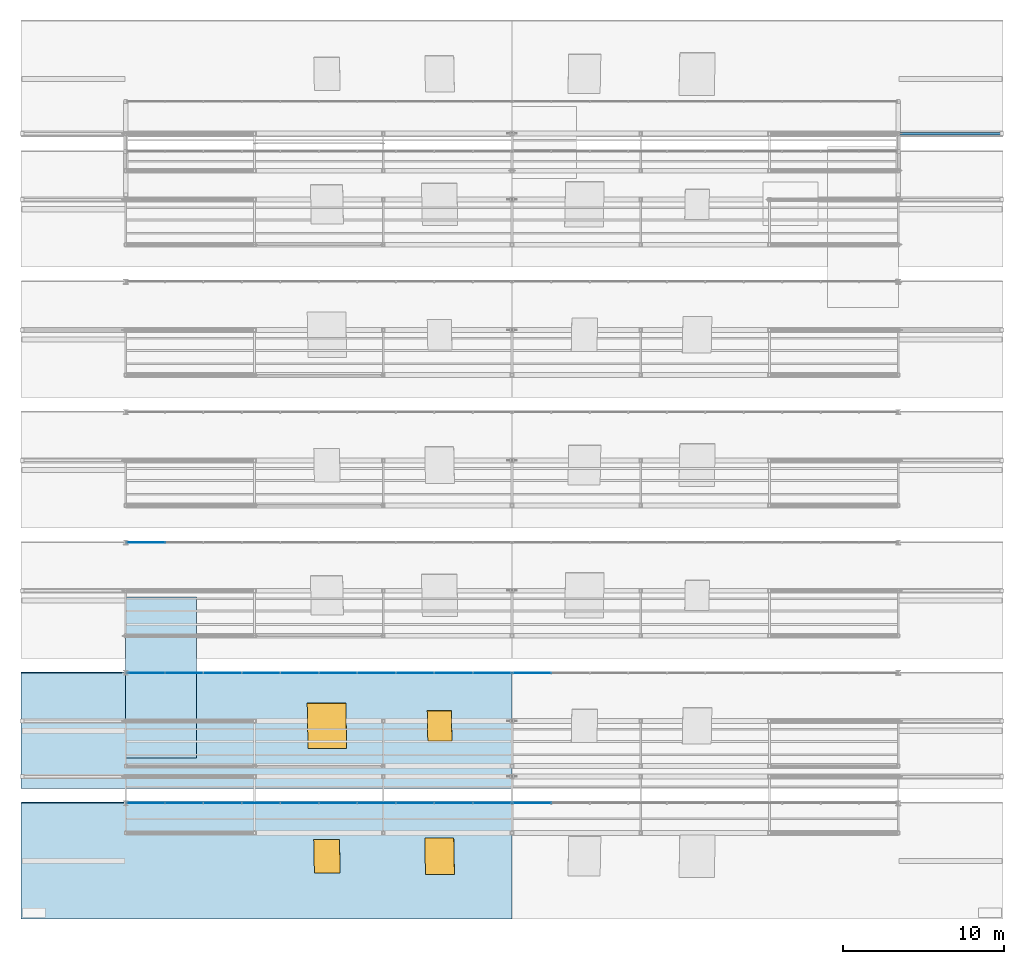
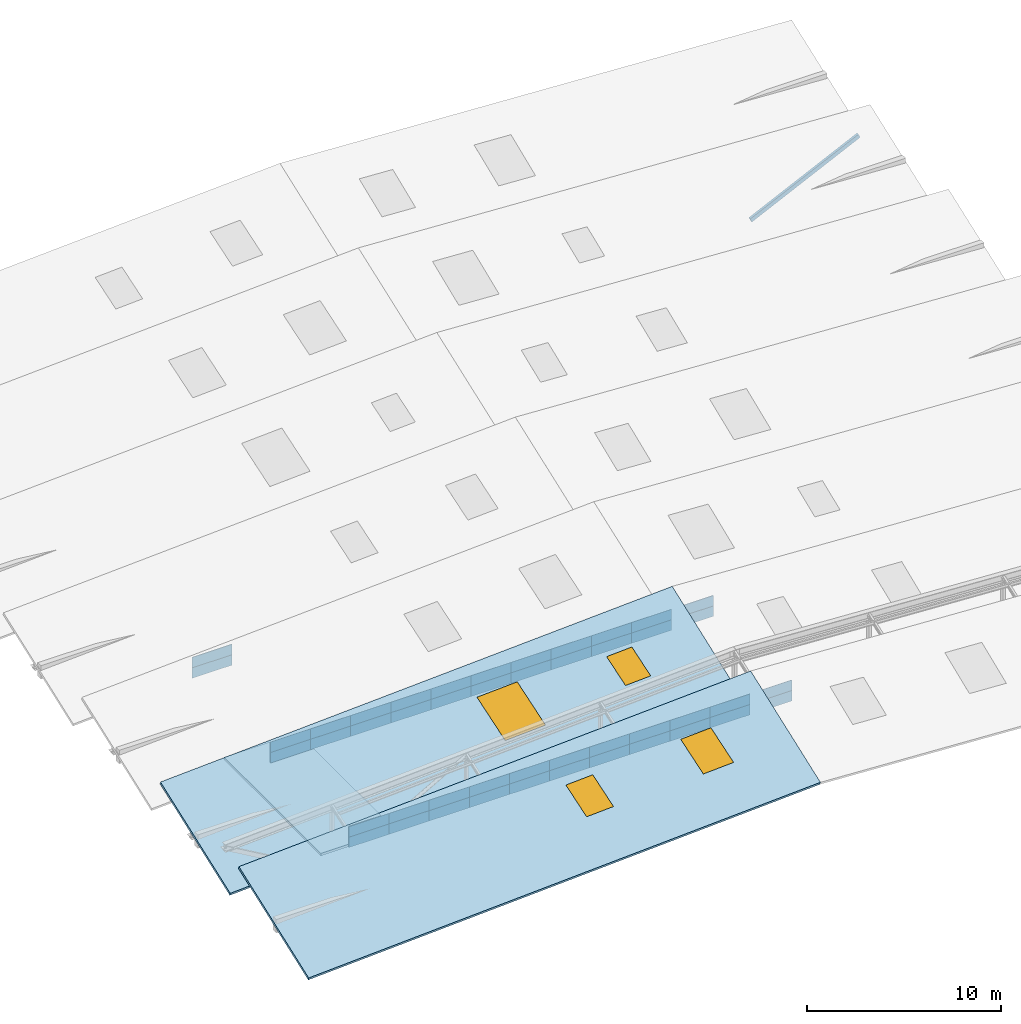
# One storey, part 126 of 141: 46 plates, 4 windows, 3 slabs, 1 member, 4 openings, 6 elements without a shape of their own.
"""IFC4 building model written with IfcOpenShell, lengths in metres."""

from ifc_helpers import new_model, si_unit, direction, frame, origin, origin_2d, place, context, subcontext, project, spatial, polyline, rectangle, hollow_rectangle, outline, extrude, material, layer, layer_set, material_profile, profile_set, type_object, element, fill, aggregate, save


model = new_model("IFC4")

# Units and contexts
model_context = context("Model", 3, precision=1e-05, world=origin(), true_north=direction((0.0, 1.0)))
body_context = subcontext(model_context, "Body", "Model", "MODEL_VIEW")
ifc_project = project(units=[si_unit("LENGTHUNIT", "METRE"), si_unit("AREAUNIT", "SQUARE_METRE"), si_unit("VOLUMEUNIT", "CUBIC_METRE"), si_unit("PLANEANGLEUNIT", "RADIAN"), si_unit("MASSUNIT", "GRAM", prefix="KILO")], contexts=[model_context])

# Site, building, storey
site_placement = place(None, origin())
site = spatial("IfcSite", under=ifc_project, at=site_placement, CompositionType="ELEMENT")
building_placement = place(site_placement, origin())
building = spatial("IfcBuilding", under=site, at=building_placement, Name="Sundkrona Museum", CompositionType="ELEMENT")
storey_placement = place(building_placement, frame((0.0, 0.0, 34.0)))
storey = spatial("IfcBuildingStorey", under=building, at=storey_placement, Name="RF", CompositionType="ELEMENT", Elevation=34.0)

# Member
ifc_material_1 = material(Name="Steel S355J2", Category="steel")
ifc_material_profile = material_profile(ifc_material_1, hollow_rectangle(XDim=0.14990234375, YDim=0.25, WallThickness=0.010009765625, at=origin_2d()), Name="RHS 250x150x10.0")
ifc_profile_set = profile_set([ifc_material_profile], Name="Steel S355J2")
member_type = type_object("IfcMemberType", Name="ST-RHS250", PredefinedType="STRUT", material=ifc_profile_set)
member_placement = place(storey_placement, frame((168.0, 43.800048828125, -0.25), z_axis=(0.902588159748, 0.0, 0.430505068359), x_axis=(0.0, 1.0, 0.0)))
element("IfcMember", 1, at=member_placement, inside=storey, type_object=member_type, Name="RFS-1 Sawtooth Truss 7 East Knee Strut", PredefinedType="STRUT", context=body_context, shape_type="SweptSolid", body=[
    extrude(hollow_rectangle(XDim=0.14990234375, YDim=0.25, WallThickness=0.010009765625, at=origin_2d()), origin(), (0.0, 0.0, 1.0), 7.14599609375),
])

# Curtain wall, plates
ifc_material_2 = material(Name="Unitised Aluminium-Steel and Ceramic-Clad Curtain Walling", Category="steel")
curtain_wall_type = type_object("IfcCurtainWallType", Name="CW-SW-240x13", PredefinedType="NOTDEFINED", material=ifc_material_2)
curtain_wall_1_placement = place(storey_placement, origin())
curtain_wall_1 = element("IfcCurtainWall", 2, at=curtain_wall_1_placement, inside=storey, type_object=curtain_wall_type, Name="Sawtooth Bay 1 West North-Light Clerestory", PredefinedType="NOTDEFINED")
ifc_material_3 = material(Name="North-Light Diffusing Triple Glazing 32 mm", Category="glass")
ifc_layer_1 = layer(ifc_material_3, 0.031982421875)
ifc_layer_set_1 = layer_set([ifc_layer_1], Name="North-Light Diffusing Triple Glazing 32 mm")
plate_type = type_object("IfcPlateType", Name="PN-GL-02", PredefinedType="CURTAIN_PANEL", material=ifc_layer_set_1)
plate_1_placement = place(storey_placement, frame((121.2451171875, 2.199951171875, 2.212890625), z_axis=(0.0, 0.0, 1.0), x_axis=(1.0, 0.0, 0.0)))
plate_1 = element("IfcPlate", 3, at=plate_1_placement, type_object=plate_type, Name="CW-RF-SAW-01W Panel 01", PredefinedType="CURTAIN_PANEL", context=body_context, shape_type="SweptSolid", body=[
    extrude(rectangle(XDim=2.389892578125, YDim=0.031982421875, at=origin_2d()), origin(), (0.0, 0.0, 1.0), 0.659912109375),
])
plate_2_placement = place(storey_placement, frame((121.2451171875, 2.199951171875, 2.873046875), z_axis=(0.0, 0.0, 1.0), x_axis=(1.0, 0.0, 0.0)))
plate_2 = element("IfcPlate", 4, at=plate_2_placement, type_object=plate_type, Name="CW-RF-SAW-01W Panel 02", PredefinedType="CURTAIN_PANEL", context=body_context, shape_type="SweptSolid", body=[
    extrude(rectangle(XDim=2.389892578125, YDim=0.031982421875, at=origin_2d()), origin(), (0.0, 0.0, 1.0), 0.659912109375),
])
plate_3_placement = place(storey_placement, frame((123.635009765625, 2.199951171875, 2.212890625), z_axis=(0.0, 0.0, 1.0), x_axis=(1.0, 0.0, 0.0)))
plate_3 = element("IfcPlate", 5, at=plate_3_placement, type_object=plate_type, Name="CW-RF-SAW-01W Panel 03", PredefinedType="CURTAIN_PANEL", context=body_context, shape_type="SweptSolid", body=[
    extrude(rectangle(XDim=2.389892578125, YDim=0.031982421875, at=origin_2d()), origin(), (0.0, 0.0, 1.0), 0.659912109375),
])
plate_4_placement = place(storey_placement, frame((123.635009765625, 2.199951171875, 2.873046875), z_axis=(0.0, 0.0, 1.0), x_axis=(1.0, 0.0, 0.0)))
plate_4 = element("IfcPlate", 6, at=plate_4_placement, type_object=plate_type, Name="CW-RF-SAW-01W Panel 04", PredefinedType="CURTAIN_PANEL", context=body_context, shape_type="SweptSolid", body=[
    extrude(rectangle(XDim=2.389892578125, YDim=0.031982421875, at=origin_2d()), origin(), (0.0, 0.0, 1.0), 0.659912109375),
])
plate_5_placement = place(storey_placement, frame((126.02490234375, 2.199951171875, 2.212890625), z_axis=(0.0, 0.0, 1.0), x_axis=(1.0, 0.0, 0.0)))
plate_5 = element("IfcPlate", 7, at=plate_5_placement, type_object=plate_type, Name="CW-RF-SAW-01W Panel 05", PredefinedType="CURTAIN_PANEL", context=body_context, shape_type="SweptSolid", body=[
    extrude(rectangle(XDim=2.389892578125, YDim=0.031982421875, at=origin_2d()), origin(), (0.0, 0.0, 1.0), 0.659912109375),
])
plate_6_placement = place(storey_placement, frame((126.02490234375, 2.199951171875, 2.873046875), z_axis=(0.0, 0.0, 1.0), x_axis=(1.0, 0.0, 0.0)))
plate_6 = element("IfcPlate", 8, at=plate_6_placement, type_object=plate_type, Name="CW-RF-SAW-01W Panel 06", PredefinedType="CURTAIN_PANEL", context=body_context, shape_type="SweptSolid", body=[
    extrude(rectangle(XDim=2.389892578125, YDim=0.031982421875, at=origin_2d()), origin(), (0.0, 0.0, 1.0), 0.659912109375),
])
plate_7_placement = place(storey_placement, frame((128.4150390625, 2.199951171875, 2.212890625), z_axis=(0.0, 0.0, 1.0), x_axis=(1.0, 0.0, 0.0)))
plate_7 = element("IfcPlate", 9, at=plate_7_placement, type_object=plate_type, Name="CW-RF-SAW-01W Panel 07", PredefinedType="CURTAIN_PANEL", context=body_context, shape_type="SweptSolid", body=[
    extrude(rectangle(XDim=2.389892578125, YDim=0.031982421875, at=origin_2d()), origin(), (0.0, 0.0, 1.0), 0.659912109375),
])
plate_8_placement = place(storey_placement, frame((128.4150390625, 2.199951171875, 2.873046875), z_axis=(0.0, 0.0, 1.0), x_axis=(1.0, 0.0, 0.0)))
plate_8 = element("IfcPlate", 10, at=plate_8_placement, type_object=plate_type, Name="CW-RF-SAW-01W Panel 08", PredefinedType="CURTAIN_PANEL", context=body_context, shape_type="SweptSolid", body=[
    extrude(rectangle(XDim=2.389892578125, YDim=0.031982421875, at=origin_2d()), origin(), (0.0, 0.0, 1.0), 0.659912109375),
])
plate_9_placement = place(storey_placement, frame((130.804931640625, 2.199951171875, 2.212890625), z_axis=(0.0, 0.0, 1.0), x_axis=(1.0, 0.0, 0.0)))
plate_9 = element("IfcPlate", 11, at=plate_9_placement, type_object=plate_type, Name="CW-RF-SAW-01W Panel 09", PredefinedType="CURTAIN_PANEL", context=body_context, shape_type="SweptSolid", body=[
    extrude(rectangle(XDim=2.389892578125, YDim=0.031982421875, at=origin_2d()), origin(), (0.0, 0.0, 1.0), 0.659912109375),
])
plate_10_placement = place(storey_placement, frame((130.804931640625, 2.199951171875, 2.873046875), z_axis=(0.0, 0.0, 1.0), x_axis=(1.0, 0.0, 0.0)))
plate_10 = element("IfcPlate", 12, at=plate_10_placement, type_object=plate_type, Name="CW-RF-SAW-01W Panel 10", PredefinedType="CURTAIN_PANEL", context=body_context, shape_type="SweptSolid", body=[
    extrude(rectangle(XDim=2.389892578125, YDim=0.031982421875, at=origin_2d()), origin(), (0.0, 0.0, 1.0), 0.659912109375),
])
plate_11_placement = place(storey_placement, frame((133.195068359375, 2.199951171875, 2.212890625), z_axis=(0.0, 0.0, 1.0), x_axis=(1.0, 0.0, 0.0)))
plate_11 = element("IfcPlate", 13, at=plate_11_placement, type_object=plate_type, Name="CW-RF-SAW-01W Panel 11", PredefinedType="CURTAIN_PANEL", context=body_context, shape_type="SweptSolid", body=[
    extrude(rectangle(XDim=2.389892578125, YDim=0.031982421875, at=origin_2d()), origin(), (0.0, 0.0, 1.0), 0.659912109375),
])
plate_12_placement = place(storey_placement, frame((133.195068359375, 2.199951171875, 2.873046875), z_axis=(0.0, 0.0, 1.0), x_axis=(1.0, 0.0, 0.0)))
plate_12 = element("IfcPlate", 14, at=plate_12_placement, type_object=plate_type, Name="CW-RF-SAW-01W Panel 12", PredefinedType="CURTAIN_PANEL", context=body_context, shape_type="SweptSolid", body=[
    extrude(rectangle(XDim=2.389892578125, YDim=0.031982421875, at=origin_2d()), origin(), (0.0, 0.0, 1.0), 0.659912109375),
])
plate_13_placement = place(storey_placement, frame((135.5849609375, 2.199951171875, 2.212890625), z_axis=(0.0, 0.0, 1.0), x_axis=(1.0, 0.0, 0.0)))
plate_13 = element("IfcPlate", 15, at=plate_13_placement, type_object=plate_type, Name="CW-RF-SAW-01W Panel 13", PredefinedType="CURTAIN_PANEL", context=body_context, shape_type="SweptSolid", body=[
    extrude(rectangle(XDim=2.389892578125, YDim=0.031982421875, at=origin_2d()), origin(), (0.0, 0.0, 1.0), 0.659912109375),
])
plate_14_placement = place(storey_placement, frame((135.5849609375, 2.199951171875, 2.873046875), z_axis=(0.0, 0.0, 1.0), x_axis=(1.0, 0.0, 0.0)))
plate_14 = element("IfcPlate", 16, at=plate_14_placement, type_object=plate_type, Name="CW-RF-SAW-01W Panel 14", PredefinedType="CURTAIN_PANEL", context=body_context, shape_type="SweptSolid", body=[
    extrude(rectangle(XDim=2.389892578125, YDim=0.031982421875, at=origin_2d()), origin(), (0.0, 0.0, 1.0), 0.659912109375),
])
plate_15_placement = place(storey_placement, frame((137.97509765625, 2.199951171875, 2.212890625), z_axis=(0.0, 0.0, 1.0), x_axis=(1.0, 0.0, 0.0)))
plate_15 = element("IfcPlate", 17, at=plate_15_placement, type_object=plate_type, Name="CW-RF-SAW-01W Panel 15", PredefinedType="CURTAIN_PANEL", context=body_context, shape_type="SweptSolid", body=[
    extrude(rectangle(XDim=2.389892578125, YDim=0.031982421875, at=origin_2d()), origin(), (0.0, 0.0, 1.0), 0.659912109375),
])
plate_16_placement = place(storey_placement, frame((137.97509765625, 2.199951171875, 2.873046875), z_axis=(0.0, 0.0, 1.0), x_axis=(1.0, 0.0, 0.0)))
plate_16 = element("IfcPlate", 18, at=plate_16_placement, type_object=plate_type, Name="CW-RF-SAW-01W Panel 16", PredefinedType="CURTAIN_PANEL", context=body_context, shape_type="SweptSolid", body=[
    extrude(rectangle(XDim=2.389892578125, YDim=0.031982421875, at=origin_2d()), origin(), (0.0, 0.0, 1.0), 0.659912109375),
])
plate_17_placement = place(storey_placement, frame((140.364990234375, 2.199951171875, 2.212890625), z_axis=(0.0, 0.0, 1.0), x_axis=(1.0, 0.0, 0.0)))
plate_17 = element("IfcPlate", 19, at=plate_17_placement, type_object=plate_type, Name="CW-RF-SAW-01W Panel 17", PredefinedType="CURTAIN_PANEL", context=body_context, shape_type="SweptSolid", body=[
    extrude(rectangle(XDim=2.389892578125, YDim=0.031982421875, at=origin_2d()), origin(), (0.0, 0.0, 1.0), 0.659912109375),
])
plate_18_placement = place(storey_placement, frame((140.364990234375, 2.199951171875, 2.873046875), z_axis=(0.0, 0.0, 1.0), x_axis=(1.0, 0.0, 0.0)))
plate_18 = element("IfcPlate", 20, at=plate_18_placement, type_object=plate_type, Name="CW-RF-SAW-01W Panel 18", PredefinedType="CURTAIN_PANEL", context=body_context, shape_type="SweptSolid", body=[
    extrude(rectangle(XDim=2.389892578125, YDim=0.031982421875, at=origin_2d()), origin(), (0.0, 0.0, 1.0), 0.659912109375),
])
plate_19_placement = place(storey_placement, frame((142.7548828125, 2.199951171875, 2.212890625), z_axis=(0.0, 0.0, 1.0), x_axis=(1.0, 0.0, 0.0)))
plate_19 = element("IfcPlate", 21, at=plate_19_placement, type_object=plate_type, Name="CW-RF-SAW-01W Panel 19", PredefinedType="CURTAIN_PANEL", context=body_context, shape_type="SweptSolid", body=[
    extrude(rectangle(XDim=2.389892578125, YDim=0.031982421875, at=origin_2d()), origin(), (0.0, 0.0, 1.0), 0.659912109375),
])
plate_20_placement = place(storey_placement, frame((142.7548828125, 2.199951171875, 2.873046875), z_axis=(0.0, 0.0, 1.0), x_axis=(1.0, 0.0, 0.0)))
plate_20 = element("IfcPlate", 22, at=plate_20_placement, type_object=plate_type, Name="CW-RF-SAW-01W Panel 20", PredefinedType="CURTAIN_PANEL", context=body_context, shape_type="SweptSolid", body=[
    extrude(rectangle(XDim=2.389892578125, YDim=0.031982421875, at=origin_2d()), origin(), (0.0, 0.0, 1.0), 0.659912109375),
])
aggregate(curtain_wall_1, [plate_1, plate_2, plate_3, plate_4, plate_5, plate_6, plate_7, plate_8, plate_9, plate_10, plate_11, plate_12, plate_13, plate_14, plate_15, plate_16, plate_17, plate_18, plate_19, plate_20])

curtain_wall_2_placement = place(storey_placement, origin())
curtain_wall_2 = element("IfcCurtainWall", 23, at=curtain_wall_2_placement, inside=storey, type_object=curtain_wall_type, Name="Sawtooth Bay 1 East North-Light Clerestory", PredefinedType="NOTDEFINED")
plate_21_placement = place(storey_placement, frame((145.2451171875, 2.199951171875, 2.212890625), z_axis=(0.0, 0.0, 1.0), x_axis=(1.0, 0.0, 0.0)))
plate_21 = element("IfcPlate", 24, at=plate_21_placement, type_object=plate_type, Name="CW-RF-SAW-01E Panel 01", PredefinedType="CURTAIN_PANEL", context=body_context, shape_type="SweptSolid", body=[
    extrude(rectangle(XDim=2.389892578125, YDim=0.031982421875, at=origin_2d()), origin(), (0.0, 0.0, 1.0), 0.659912109375),
])
plate_22_placement = place(storey_placement, frame((145.2451171875, 2.199951171875, 2.873046875), z_axis=(0.0, 0.0, 1.0), x_axis=(1.0, 0.0, 0.0)))
plate_22 = element("IfcPlate", 25, at=plate_22_placement, type_object=plate_type, Name="CW-RF-SAW-01E Panel 02", PredefinedType="CURTAIN_PANEL", context=body_context, shape_type="SweptSolid", body=[
    extrude(rectangle(XDim=2.389892578125, YDim=0.031982421875, at=origin_2d()), origin(), (0.0, 0.0, 1.0), 0.659912109375),
])
aggregate(curtain_wall_2, [plate_21, plate_22])

curtain_wall_3_placement = place(storey_placement, origin())
curtain_wall_3 = element("IfcCurtainWall", 26, at=curtain_wall_3_placement, inside=storey, type_object=curtain_wall_type, Name="Sawtooth Bay 2 West North-Light Clerestory", PredefinedType="NOTDEFINED")
plate_23_placement = place(storey_placement, frame((121.2451171875, 10.300048828125, 2.6328125), z_axis=(0.0, 0.0, 1.0), x_axis=(1.0, 0.0, 0.0)))
plate_23 = element("IfcPlate", 27, at=plate_23_placement, type_object=plate_type, Name="CW-RF-SAW-02W Panel 01", PredefinedType="CURTAIN_PANEL", context=body_context, shape_type="SweptSolid", body=[
    extrude(rectangle(XDim=2.389892578125, YDim=0.031982421875, at=origin_2d()), origin(), (0.0, 0.0, 1.0), 0.659912109375),
])
plate_24_placement = place(storey_placement, frame((121.2451171875, 10.300048828125, 3.29296875), z_axis=(0.0, 0.0, 1.0), x_axis=(1.0, 0.0, 0.0)))
plate_24 = element("IfcPlate", 28, at=plate_24_placement, type_object=plate_type, Name="CW-RF-SAW-02W Panel 02", PredefinedType="CURTAIN_PANEL", context=body_context, shape_type="SweptSolid", body=[
    extrude(rectangle(XDim=2.389892578125, YDim=0.031982421875, at=origin_2d()), origin(), (0.0, 0.0, 1.0), 0.659912109375),
])
plate_25_placement = place(storey_placement, frame((123.635009765625, 10.300048828125, 2.6328125), z_axis=(0.0, 0.0, 1.0), x_axis=(1.0, 0.0, 0.0)))
plate_25 = element("IfcPlate", 29, at=plate_25_placement, type_object=plate_type, Name="CW-RF-SAW-02W Panel 03", PredefinedType="CURTAIN_PANEL", context=body_context, shape_type="SweptSolid", body=[
    extrude(rectangle(XDim=2.389892578125, YDim=0.031982421875, at=origin_2d()), origin(), (0.0, 0.0, 1.0), 0.659912109375),
])
plate_26_placement = place(storey_placement, frame((123.635009765625, 10.300048828125, 3.29296875), z_axis=(0.0, 0.0, 1.0), x_axis=(1.0, 0.0, 0.0)))
plate_26 = element("IfcPlate", 30, at=plate_26_placement, type_object=plate_type, Name="CW-RF-SAW-02W Panel 04", PredefinedType="CURTAIN_PANEL", context=body_context, shape_type="SweptSolid", body=[
    extrude(rectangle(XDim=2.389892578125, YDim=0.031982421875, at=origin_2d()), origin(), (0.0, 0.0, 1.0), 0.659912109375),
])
plate_27_placement = place(storey_placement, frame((126.02490234375, 10.300048828125, 2.6328125), z_axis=(0.0, 0.0, 1.0), x_axis=(1.0, 0.0, 0.0)))
plate_27 = element("IfcPlate", 31, at=plate_27_placement, type_object=plate_type, Name="CW-RF-SAW-02W Panel 05", PredefinedType="CURTAIN_PANEL", context=body_context, shape_type="SweptSolid", body=[
    extrude(rectangle(XDim=2.389892578125, YDim=0.031982421875, at=origin_2d()), origin(), (0.0, 0.0, 1.0), 0.659912109375),
])
plate_28_placement = place(storey_placement, frame((126.02490234375, 10.300048828125, 3.29296875), z_axis=(0.0, 0.0, 1.0), x_axis=(1.0, 0.0, 0.0)))
plate_28 = element("IfcPlate", 32, at=plate_28_placement, type_object=plate_type, Name="CW-RF-SAW-02W Panel 06", PredefinedType="CURTAIN_PANEL", context=body_context, shape_type="SweptSolid", body=[
    extrude(rectangle(XDim=2.389892578125, YDim=0.031982421875, at=origin_2d()), origin(), (0.0, 0.0, 1.0), 0.659912109375),
])
plate_29_placement = place(storey_placement, frame((128.4150390625, 10.300048828125, 2.6328125), z_axis=(0.0, 0.0, 1.0), x_axis=(1.0, 0.0, 0.0)))
plate_29 = element("IfcPlate", 33, at=plate_29_placement, type_object=plate_type, Name="CW-RF-SAW-02W Panel 07", PredefinedType="CURTAIN_PANEL", context=body_context, shape_type="SweptSolid", body=[
    extrude(rectangle(XDim=2.389892578125, YDim=0.031982421875, at=origin_2d()), origin(), (0.0, 0.0, 1.0), 0.659912109375),
])
plate_30_placement = place(storey_placement, frame((128.4150390625, 10.300048828125, 3.29296875), z_axis=(0.0, 0.0, 1.0), x_axis=(1.0, 0.0, 0.0)))
plate_30 = element("IfcPlate", 34, at=plate_30_placement, type_object=plate_type, Name="CW-RF-SAW-02W Panel 08", PredefinedType="CURTAIN_PANEL", context=body_context, shape_type="SweptSolid", body=[
    extrude(rectangle(XDim=2.389892578125, YDim=0.031982421875, at=origin_2d()), origin(), (0.0, 0.0, 1.0), 0.659912109375),
])
plate_31_placement = place(storey_placement, frame((130.804931640625, 10.300048828125, 2.6328125), z_axis=(0.0, 0.0, 1.0), x_axis=(1.0, 0.0, 0.0)))
plate_31 = element("IfcPlate", 35, at=plate_31_placement, type_object=plate_type, Name="CW-RF-SAW-02W Panel 09", PredefinedType="CURTAIN_PANEL", context=body_context, shape_type="SweptSolid", body=[
    extrude(rectangle(XDim=2.389892578125, YDim=0.031982421875, at=origin_2d()), origin(), (0.0, 0.0, 1.0), 0.659912109375),
])
plate_32_placement = place(storey_placement, frame((130.804931640625, 10.300048828125, 3.29296875), z_axis=(0.0, 0.0, 1.0), x_axis=(1.0, 0.0, 0.0)))
plate_32 = element("IfcPlate", 36, at=plate_32_placement, type_object=plate_type, Name="CW-RF-SAW-02W Panel 10", PredefinedType="CURTAIN_PANEL", context=body_context, shape_type="SweptSolid", body=[
    extrude(rectangle(XDim=2.389892578125, YDim=0.031982421875, at=origin_2d()), origin(), (0.0, 0.0, 1.0), 0.659912109375),
])
plate_33_placement = place(storey_placement, frame((133.195068359375, 10.300048828125, 2.6328125), z_axis=(0.0, 0.0, 1.0), x_axis=(1.0, 0.0, 0.0)))
plate_33 = element("IfcPlate", 37, at=plate_33_placement, type_object=plate_type, Name="CW-RF-SAW-02W Panel 11", PredefinedType="CURTAIN_PANEL", context=body_context, shape_type="SweptSolid", body=[
    extrude(rectangle(XDim=2.389892578125, YDim=0.031982421875, at=origin_2d()), origin(), (0.0, 0.0, 1.0), 0.659912109375),
])
plate_34_placement = place(storey_placement, frame((133.195068359375, 10.300048828125, 3.29296875), z_axis=(0.0, 0.0, 1.0), x_axis=(1.0, 0.0, 0.0)))
plate_34 = element("IfcPlate", 38, at=plate_34_placement, type_object=plate_type, Name="CW-RF-SAW-02W Panel 12", PredefinedType="CURTAIN_PANEL", context=body_context, shape_type="SweptSolid", body=[
    extrude(rectangle(XDim=2.389892578125, YDim=0.031982421875, at=origin_2d()), origin(), (0.0, 0.0, 1.0), 0.659912109375),
])
plate_35_placement = place(storey_placement, frame((135.5849609375, 10.300048828125, 2.6328125), z_axis=(0.0, 0.0, 1.0), x_axis=(1.0, 0.0, 0.0)))
plate_35 = element("IfcPlate", 39, at=plate_35_placement, type_object=plate_type, Name="CW-RF-SAW-02W Panel 13", PredefinedType="CURTAIN_PANEL", context=body_context, shape_type="SweptSolid", body=[
    extrude(rectangle(XDim=2.389892578125, YDim=0.031982421875, at=origin_2d()), origin(), (0.0, 0.0, 1.0), 0.659912109375),
])
plate_36_placement = place(storey_placement, frame((135.5849609375, 10.300048828125, 3.29296875), z_axis=(0.0, 0.0, 1.0), x_axis=(1.0, 0.0, 0.0)))
plate_36 = element("IfcPlate", 40, at=plate_36_placement, type_object=plate_type, Name="CW-RF-SAW-02W Panel 14", PredefinedType="CURTAIN_PANEL", context=body_context, shape_type="SweptSolid", body=[
    extrude(rectangle(XDim=2.389892578125, YDim=0.031982421875, at=origin_2d()), origin(), (0.0, 0.0, 1.0), 0.659912109375),
])
plate_37_placement = place(storey_placement, frame((137.97509765625, 10.300048828125, 2.6328125), z_axis=(0.0, 0.0, 1.0), x_axis=(1.0, 0.0, 0.0)))
plate_37 = element("IfcPlate", 41, at=plate_37_placement, type_object=plate_type, Name="CW-RF-SAW-02W Panel 15", PredefinedType="CURTAIN_PANEL", context=body_context, shape_type="SweptSolid", body=[
    extrude(rectangle(XDim=2.389892578125, YDim=0.031982421875, at=origin_2d()), origin(), (0.0, 0.0, 1.0), 0.659912109375),
])
plate_38_placement = place(storey_placement, frame((137.97509765625, 10.300048828125, 3.29296875), z_axis=(0.0, 0.0, 1.0), x_axis=(1.0, 0.0, 0.0)))
plate_38 = element("IfcPlate", 42, at=plate_38_placement, type_object=plate_type, Name="CW-RF-SAW-02W Panel 16", PredefinedType="CURTAIN_PANEL", context=body_context, shape_type="SweptSolid", body=[
    extrude(rectangle(XDim=2.389892578125, YDim=0.031982421875, at=origin_2d()), origin(), (0.0, 0.0, 1.0), 0.659912109375),
])
plate_39_placement = place(storey_placement, frame((140.364990234375, 10.300048828125, 2.6328125), z_axis=(0.0, 0.0, 1.0), x_axis=(1.0, 0.0, 0.0)))
plate_39 = element("IfcPlate", 43, at=plate_39_placement, type_object=plate_type, Name="CW-RF-SAW-02W Panel 17", PredefinedType="CURTAIN_PANEL", context=body_context, shape_type="SweptSolid", body=[
    extrude(rectangle(XDim=2.389892578125, YDim=0.031982421875, at=origin_2d()), origin(), (0.0, 0.0, 1.0), 0.659912109375),
])
plate_40_placement = place(storey_placement, frame((140.364990234375, 10.300048828125, 3.29296875), z_axis=(0.0, 0.0, 1.0), x_axis=(1.0, 0.0, 0.0)))
plate_40 = element("IfcPlate", 44, at=plate_40_placement, type_object=plate_type, Name="CW-RF-SAW-02W Panel 18", PredefinedType="CURTAIN_PANEL", context=body_context, shape_type="SweptSolid", body=[
    extrude(rectangle(XDim=2.389892578125, YDim=0.031982421875, at=origin_2d()), origin(), (0.0, 0.0, 1.0), 0.659912109375),
])
plate_41_placement = place(storey_placement, frame((142.7548828125, 10.300048828125, 2.6328125), z_axis=(0.0, 0.0, 1.0), x_axis=(1.0, 0.0, 0.0)))
plate_41 = element("IfcPlate", 45, at=plate_41_placement, type_object=plate_type, Name="CW-RF-SAW-02W Panel 19", PredefinedType="CURTAIN_PANEL", context=body_context, shape_type="SweptSolid", body=[
    extrude(rectangle(XDim=2.389892578125, YDim=0.031982421875, at=origin_2d()), origin(), (0.0, 0.0, 1.0), 0.659912109375),
])
plate_42_placement = place(storey_placement, frame((142.7548828125, 10.300048828125, 3.29296875), z_axis=(0.0, 0.0, 1.0), x_axis=(1.0, 0.0, 0.0)))
plate_42 = element("IfcPlate", 46, at=plate_42_placement, type_object=plate_type, Name="CW-RF-SAW-02W Panel 20", PredefinedType="CURTAIN_PANEL", context=body_context, shape_type="SweptSolid", body=[
    extrude(rectangle(XDim=2.389892578125, YDim=0.031982421875, at=origin_2d()), origin(), (0.0, 0.0, 1.0), 0.659912109375),
])
aggregate(curtain_wall_3, [plate_23, plate_24, plate_25, plate_26, plate_27, plate_28, plate_29, plate_30, plate_31, plate_32, plate_33, plate_34, plate_35, plate_36, plate_37, plate_38, plate_39, plate_40, plate_41, plate_42])

curtain_wall_4_placement = place(storey_placement, origin())
curtain_wall_4 = element("IfcCurtainWall", 47, at=curtain_wall_4_placement, inside=storey, type_object=curtain_wall_type, Name="Sawtooth Bay 2 East North-Light Clerestory", PredefinedType="NOTDEFINED")
plate_43_placement = place(storey_placement, frame((145.2451171875, 10.300048828125, 2.6328125), z_axis=(0.0, 0.0, 1.0), x_axis=(1.0, 0.0, 0.0)))
plate_43 = element("IfcPlate", 48, at=plate_43_placement, type_object=plate_type, Name="CW-RF-SAW-02E Panel 01", PredefinedType="CURTAIN_PANEL", context=body_context, shape_type="SweptSolid", body=[
    extrude(rectangle(XDim=2.389892578125, YDim=0.031982421875, at=origin_2d()), origin(), (0.0, 0.0, 1.0), 0.659912109375),
])
plate_44_placement = place(storey_placement, frame((145.2451171875, 10.300048828125, 3.29296875), z_axis=(0.0, 0.0, 1.0), x_axis=(1.0, 0.0, 0.0)))
plate_44 = element("IfcPlate", 49, at=plate_44_placement, type_object=plate_type, Name="CW-RF-SAW-02E Panel 02", PredefinedType="CURTAIN_PANEL", context=body_context, shape_type="SweptSolid", body=[
    extrude(rectangle(XDim=2.389892578125, YDim=0.031982421875, at=origin_2d()), origin(), (0.0, 0.0, 1.0), 0.659912109375),
])
aggregate(curtain_wall_4, [plate_43, plate_44])

curtain_wall_5_placement = place(storey_placement, origin())
curtain_wall_5 = element("IfcCurtainWall", 50, at=curtain_wall_5_placement, inside=storey, type_object=curtain_wall_type, Name="Sawtooth Bay 3 West North-Light Clerestory", PredefinedType="NOTDEFINED")
plate_45_placement = place(storey_placement, frame((121.2451171875, 18.39990234375, 3.05322265625), z_axis=(0.0, 0.0, 1.0), x_axis=(1.0, 0.0, 0.0)))
plate_45 = element("IfcPlate", 51, at=plate_45_placement, type_object=plate_type, Name="CW-RF-SAW-03W Panel 01", PredefinedType="CURTAIN_PANEL", context=body_context, shape_type="SweptSolid", body=[
    extrude(rectangle(XDim=2.389892578125, YDim=0.031982421875, at=origin_2d()), origin(), (0.0, 0.0, 1.0), 0.659912109375),
])
plate_46_placement = place(storey_placement, frame((121.2451171875, 18.39990234375, 3.712890625), z_axis=(0.0, 0.0, 1.0), x_axis=(1.0, 0.0, 0.0)))
plate_46 = element("IfcPlate", 52, at=plate_46_placement, type_object=plate_type, Name="CW-RF-SAW-03W Panel 02", PredefinedType="CURTAIN_PANEL", context=body_context, shape_type="SweptSolid", body=[
    extrude(rectangle(XDim=2.389892578125, YDim=0.031982421875, at=origin_2d()), origin(), (0.0, 0.0, 1.0), 0.659912109375),
])
aggregate(curtain_wall_5, [plate_45, plate_46])

# Slab
ifc_material_4 = material(Name="Concrete C35/45", Category="concrete")
ifc_layer_2 = layer(ifc_material_4, 0.159912109375)
ifc_layer_set_2 = layer_set([ifc_layer_2], Name="Concrete C35/45")
slab_type_1 = type_object("IfcSlabType", Name="SL-RF-160", PredefinedType="ROOF", material=ifc_layer_set_2)
slab_1_placement = place(storey_placement, origin())
element("IfcSlab", 53, at=slab_1_placement, inside=storey, type_object=slab_type_1, Name="Core ST-2 Stair Shaft Roof Cap Slab", PredefinedType="ROOF", context=body_context, shape_type="SweptSolid", body=[
    extrude(outline(polyline([(120.0, 5.0), (124.39990234375, 5.0), (124.39990234375, 15.0), (120.0, 15.0), (120.0, 5.0)])), origin(), (0.0, 0.0, 1.0), 0.159912109375),
])

# Roof, slabs, openings, windows
ifc_material_5 = material(Name="Patinated Copper and Composite Steel-Concrete", Category="concrete")
ifc_layer_3 = layer(ifc_material_5, 0.179931640625)
ifc_layer_set_3 = layer_set([ifc_layer_3], Name="Patinated Copper and Composite Steel-Concrete")
roof_type = type_object("IfcRoofType", Name="ROOF-PAV", PredefinedType="PAVILION_ROOF", material=ifc_layer_set_3)
roof_placement = place(storey_placement, origin())
roof = element("IfcRoof", 54, at=roof_placement, inside=storey, type_object=roof_type, Name="Volume 1 Crown Seven-Bay Sawtooth North-Light Roof", PredefinedType="PAVILION_ROOF")
ifc_layer_4 = layer(ifc_material_4, 0.179931640625)
ifc_layer_set_4 = layer_set([ifc_layer_4], Name="Concrete C35/45")
slab_type_2 = type_object("IfcSlabType", Name="SL-SW-180", PredefinedType="ROOF", material=ifc_layer_set_4)
slab_2_placement = place(storey_placement, frame((113.5, -5.0, 0.64990234375), z_axis=(-0.050704191351, -0.344963903747, 0.937245426818), x_axis=(0.998539819047, 1.292119e-06, 0.054020642131)))
slab_2 = element("IfcSlab", 55, at=slab_2_placement, type_object=slab_type_2, Name="Sawtooth Folded Blade 1 West", PredefinedType="ROOF", context=body_context, shape_type="SweptSolid", body=[
    extrude(outline(polyline([(0.0, 0.0), (30.544606453624603, -1.1102230246251565e-16), (30.687765183012875, 7.670774724492062), (0.14317191802160603, 7.670858821203123), (0.0, 0.0)])), origin(), (0.0, 0.0, -1.0), 0.179931640625),
])
opening_1_placement = place(slab_2_placement, frame((19.105224609375, 4.155029296875, 0.010009765625)))
opening_1 = element("IfcOpeningElement", 56, at=opening_1_placement, cuts=slab_2, Name="Opening RL-160x220", PredefinedType="OPENING", context=body_context, shape_type="SweptSolid", body=[
    extrude(rectangle(XDim=1.60009765625, YDim=2.199951171875, at=origin_2d()), origin(), (0.0, 0.0, -1.0), 0.199951171875),
])
opening_2_placement = place(slab_2_placement, frame((26.115478515625, 4.155029296875, 0.010009765625)))
opening_2 = element("IfcOpeningElement", 57, at=opening_2_placement, cuts=slab_2, Name="Opening RL-180x240", PredefinedType="OPENING", context=body_context, shape_type="SweptSolid", body=[
    extrude(rectangle(XDim=1.800048828125, YDim=2.39990234375, at=origin_2d()), origin(), (0.0, 0.0, -1.0), 0.199951171875),
])
ifc_material_6 = material(Name="Triple Laminated UV-Filtered Skylight Glazing", Category="glass")
window_type_1 = type_object("IfcWindowType", Name="RL-160x220", PartitioningType="SINGLE_PANEL", PredefinedType="SKYLIGHT", material=ifc_material_6)
window_1_placement = place(slab_2_placement, frame((19.105224609375, 4.155029296875, 0.0)))
window_1 = element("IfcWindow", 58, at=window_1_placement, inside=storey, type_object=window_type_1, Name="Rooflight", OverallHeight=2.199951171875, OverallWidth=1.60009765625, PartitioningType="SINGLE_PANEL", PredefinedType="SKYLIGHT", context=body_context, shape_type="SweptSolid", body=[
    extrude(rectangle(XDim=1.60009765625, YDim=2.199951171875, at=origin_2d()), origin(), (0.0, 0.0, -1.0), 0.06005859375),
])
fill(opening_1, window_1)
window_type_2 = type_object("IfcWindowType", Name="RL-180x240", PartitioningType="SINGLE_PANEL", PredefinedType="SKYLIGHT", material=ifc_material_6)
window_2_placement = place(slab_2_placement, frame((26.115478515625, 4.155029296875, 0.0)))
window_2 = element("IfcWindow", 59, at=window_2_placement, inside=storey, type_object=window_type_2, Name="Rooflight", OverallHeight=2.39990234375, OverallWidth=1.800048828125, PartitioningType="SINGLE_PANEL", PredefinedType="SKYLIGHT", context=body_context, shape_type="SweptSolid", body=[
    extrude(rectangle(XDim=1.800048828125, YDim=2.39990234375, at=origin_2d()), origin(), (0.0, 0.0, -1.0), 0.06005859375),
])
fill(opening_2, window_2)
slab_3_placement = place(storey_placement, frame((113.5, 3.10009765625, 1.070068359375), z_axis=(-0.050704191351, -0.344963903747, 0.937245426818), x_axis=(0.998539870354, -1.29212e-06, 0.054019693748)))
slab_3 = element("IfcSlab", 60, at=slab_3_placement, type_object=slab_type_2, Name="Sawtooth Folded Blade 2 West", PredefinedType="ROOF", context=body_context, shape_type="SweptSolid", body=[
    extrude(outline(polyline([(0.0, 0.0), (30.544593265107036, -1.1102230246251565e-16), (30.68774406338385, 7.670859215361239), (0.14313760987502253, 7.670775118613867), (0.0, 0.0)])), origin(), (0.0, 0.0, -1.0), 0.179931640625),
])
opening_3_placement = place(slab_3_placement, frame((19.105224609375, 4.155029296875, 0.010009765625)))
opening_3 = element("IfcOpeningElement", 61, at=opening_3_placement, cuts=slab_3, Name="Opening RL-240x300", PredefinedType="OPENING", context=body_context, shape_type="SweptSolid", body=[
    extrude(rectangle(XDim=2.39990234375, YDim=3.0, at=origin_2d()), origin(), (0.0, 0.0, -1.0), 0.199951171875),
])
opening_4_placement = place(slab_3_placement, frame((26.115478515625, 4.155029296875, 0.010009765625)))
opening_4 = element("IfcOpeningElement", 62, at=opening_4_placement, cuts=slab_3, Name="Opening RL-150x200", PredefinedType="OPENING", context=body_context, shape_type="SweptSolid", body=[
    extrude(rectangle(XDim=1.5, YDim=2.0, at=origin_2d()), origin(), (0.0, 0.0, -1.0), 0.199951171875),
])
window_type_3 = type_object("IfcWindowType", Name="RL-150x200", PartitioningType="SINGLE_PANEL", PredefinedType="SKYLIGHT", material=ifc_material_6)
window_3_placement = place(slab_3_placement, frame((26.115478515625, 4.155029296875, 0.0)))
window_3 = element("IfcWindow", 63, at=window_3_placement, inside=storey, type_object=window_type_3, Name="Rooflight", OverallHeight=2.0, OverallWidth=1.5, PartitioningType="SINGLE_PANEL", PredefinedType="SKYLIGHT", context=body_context, shape_type="SweptSolid", body=[
    extrude(rectangle(XDim=1.5, YDim=2.0, at=origin_2d()), origin(), (0.0, 0.0, -1.0), 0.06005859375),
])
fill(opening_4, window_3)
window_type_4 = type_object("IfcWindowType", Name="RL-240x300", PartitioningType="SINGLE_PANEL", PredefinedType="SKYLIGHT", material=ifc_material_6)
window_4_placement = place(slab_3_placement, frame((19.105224609375, 4.155029296875, 0.0)))
window_4 = element("IfcWindow", 64, at=window_4_placement, inside=storey, type_object=window_type_4, Name="Rooflight", OverallHeight=3.0, OverallWidth=2.39990234375, PartitioningType="SINGLE_PANEL", PredefinedType="SKYLIGHT", context=body_context, shape_type="SweptSolid", body=[
    extrude(rectangle(XDim=2.39990234375, YDim=3.0, at=origin_2d()), origin(), (0.0, 0.0, -1.0), 0.06005859375),
])
fill(opening_3, window_4)
aggregate(roof, [slab_2, slab_3])

save(model, "model.ifc")
